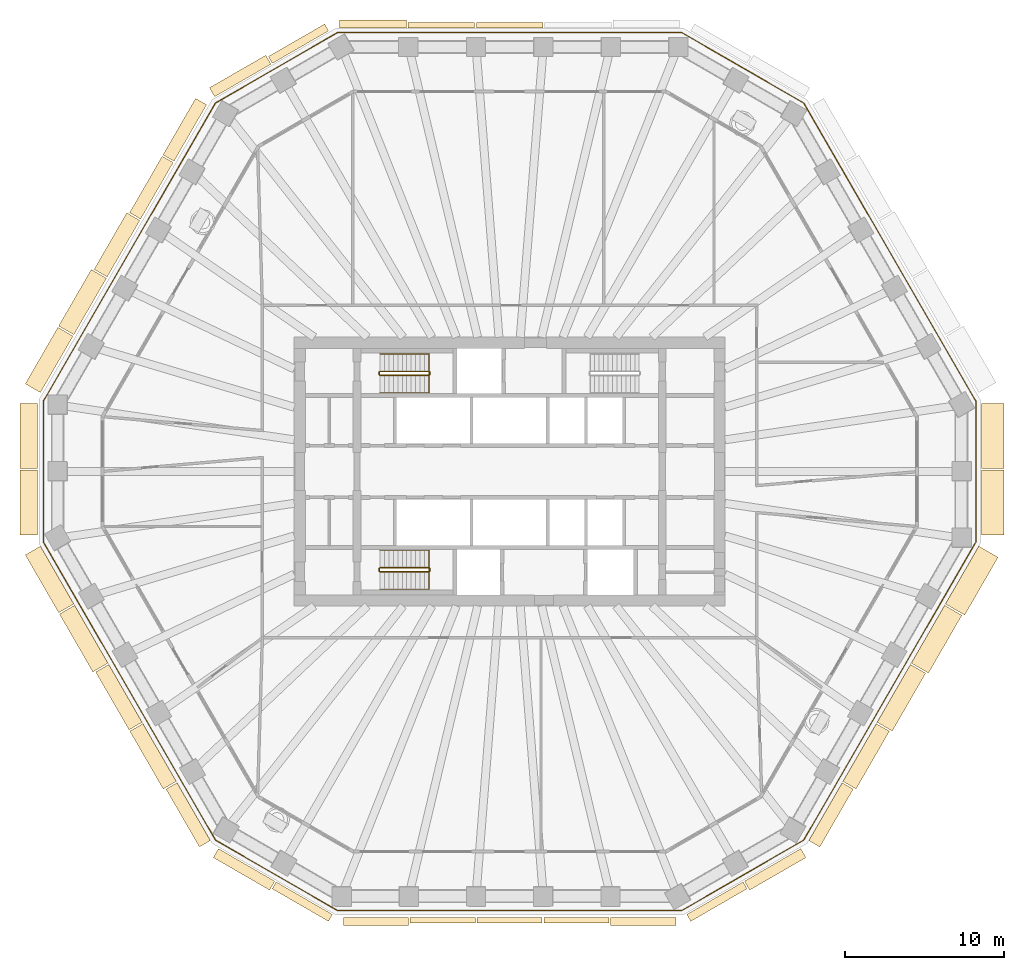
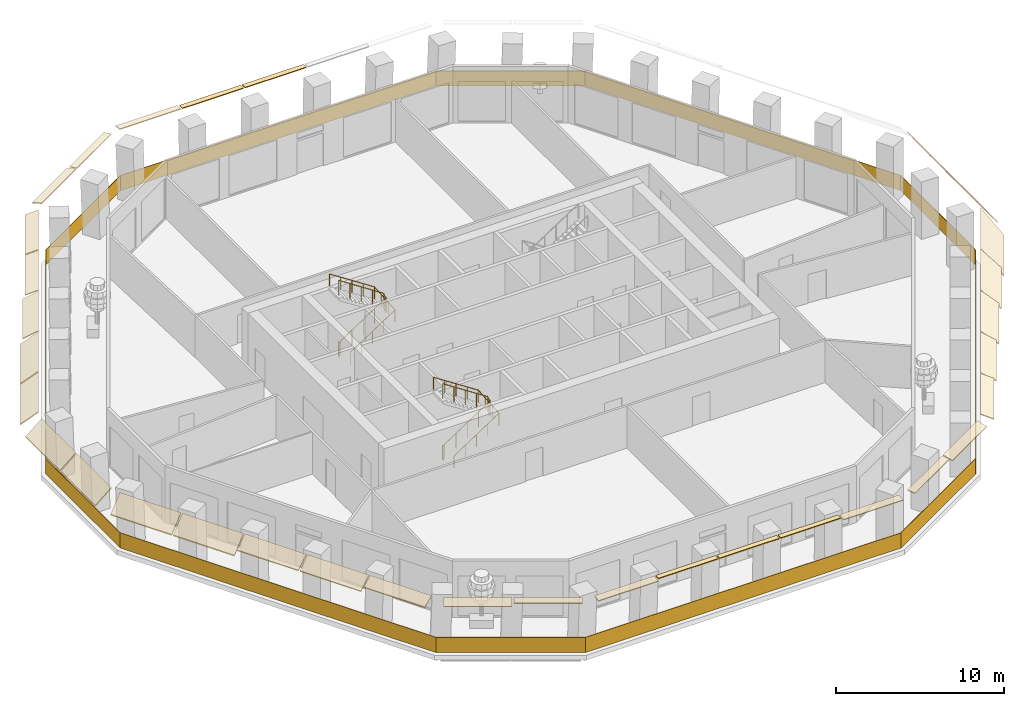
# One storey, part 9 of 12: 33 coverings, 5 railings.
"""IFC4 building model written with IfcOpenShell, lengths in metres."""

from ifc_helpers import new_model, si_unit, direction, frame, origin, origin_2d, place, context, subcontext, project, spatial, polyline, rectangle, circle, outline, extrude, material, layer, layer_set, type_object, element, save


model = new_model("IFC4")

# Units and contexts
model_context = context("Model", 3, precision=1e-05, world=origin(), true_north=direction((0.0, 1.0)))
body_context = subcontext(model_context, "Body", "Model", "MODEL_VIEW")
ifc_project = project(units=[si_unit("LENGTHUNIT", "METRE"), si_unit("AREAUNIT", "SQUARE_METRE"), si_unit("VOLUMEUNIT", "CUBIC_METRE"), si_unit("PLANEANGLEUNIT", "RADIAN"), si_unit("MASSUNIT", "GRAM", prefix="KILO")], contexts=[model_context])

# Site, building, storey
site_placement = place(None, origin())
site = spatial("IfcSite", under=ifc_project, at=site_placement, CompositionType="ELEMENT")
building_placement = place(site_placement, origin())
building = spatial("IfcBuilding", under=site, at=building_placement, Name="Frailejon Research Tower", CompositionType="ELEMENT")
storey_placement = place(building_placement, frame((0.0, 0.0, 145.199951171875)))
storey = spatial("IfcBuildingStorey", under=building, at=storey_placement, Name="L31", CompositionType="ELEMENT", Elevation=145.199951171875)

# Coverings
ifc_material_1 = material(Name="Precast concrete C50/60", Category="concrete")
ifc_layer_1 = layer(ifc_material_1, 0.06005859375)
ifc_layer_set_1 = layer_set([ifc_layer_1], Name="Brim blade depth 1100")
covering_type_1 = type_object("IfcCoveringType", Name="Brim blade depth 1100", PredefinedType="CLADDING", material=ifc_layer_set_1)
for number, where, z_axis, x_axis, name in (
    (1, (-27.40673828125, 8.6064453125, 4.25), (0.500000690179, 0.866025005309, 0.0), (-0.866025005309, 0.500000690179, 0.0), "Brim blade L31"),
    (2, (-29.5068359375, 4.968994140625, 4.25), (0.499990381106, 0.866030957184, 0.0), (-0.866030957184, 0.499990381106, 0.0), "Brim blade L31"),
):
    element("IfcCovering", number, at=place(storey_placement, frame(where, z_axis=z_axis, x_axis=x_axis)), inside=storey, type_object=covering_type_1, Name=name, PredefinedType="CLADDING", context=body_context, shape_type="SweptSolid", body=[
        extrude(outline(polyline([(0.0, -0.078369140625), (1.10009765625, -1.001220703125), (1.10009765625, -0.923095703125), (0.0, 0.0), (0.0, -0.078369140625)])), origin(), (0.0, 0.0, 1.0), 4.10009765625),
    ])
covering_1_placement = place(storey_placement, frame((-29.692626953125, 0.188232421875, 4.25), z_axis=(0.0, 1.0, 0.0), x_axis=(-1.0, 0.0, 0.0)))
element("IfcCovering", 3, at=covering_1_placement, inside=storey, type_object=covering_type_1, Name="Brim blade L31", PredefinedType="CLADDING", context=body_context, shape_type="SweptSolid", body=[
    extrude(outline(polyline([(0.0, -0.078369140625), (1.10009765625, -1.001220703125), (1.10009765625, -0.923095703125), (0.0, 0.0), (0.0, -0.078369140625)])), origin(), (0.0, 0.0, 1.0), 4.08740234375),
])
covering_2_placement = place(storey_placement, frame((-29.692626953125, -3.999267578125, 4.25), z_axis=(0.0, 1.0, 0.0), x_axis=(-1.0, 0.0, 0.0)))
element("IfcCovering", 4, at=covering_2_placement, inside=storey, type_object=covering_type_1, Name="Brim blade L31", PredefinedType="CLADDING", context=body_context, shape_type="SweptSolid", body=[
    extrude(outline(polyline([(0.0, -0.078369140625), (1.10009765625, -1.001220703125), (1.10009765625, -0.923095703125), (0.0, 0.0), (0.0, -0.078369140625)])), origin(), (0.0, 0.0, 1.0), 4.087646484375),
])
for number, where, z_axis, x_axis, name in (
    (5, (-27.408935546875, -8.326416015625, 4.25), (-0.499997171044, 0.866027037077, 0.0), (-0.866027037077, -0.499997171044, 0.0), "Brim blade L31"),
    (6, (-25.260986328125, -12.046630859375, 4.25), (-0.499997171044, 0.866027037077, 0.0), (-0.866027037077, -0.499997171044, 0.0), "Brim blade L31"),
    (7, (25.2109375, -12.13330078125, 4.25), (-0.50000725073, -0.866021217533, 0.0), (0.866021217533, -0.50000725073, 0.0), "Brim blade L31"),
):
    element("IfcCovering", number, at=place(storey_placement, frame(where, z_axis=z_axis, x_axis=x_axis)), inside=storey, type_object=covering_type_1, Name=name, PredefinedType="CLADDING", context=body_context, shape_type="SweptSolid", body=[
        extrude(outline(polyline([(0.0, -0.078369140625), (1.10009765625, -1.001220703125), (1.10009765625, -0.923095703125), (0.0, 0.0), (0.0, -0.078369140625)])), origin(), (0.0, 0.0, 1.0), 4.19580078125),
    ])
ifc_material_2 = material(Name="Precast concrete C50/60", Category="concrete")
ifc_layer_2 = layer(ifc_material_2, 0.06005859375)
ifc_layer_set_2 = layer_set([ifc_layer_2], Name="Brim blade depth 1250")
covering_type_2 = type_object("IfcCoveringType", Name="Brim blade depth 1250", PredefinedType="CLADDING", material=ifc_layer_set_2)
covering_3_placement = place(storey_placement, frame((27.35888671875, -8.412841796875, 4.25), z_axis=(-0.499997171044, -0.866027037077, 0.0), x_axis=(0.866027037077, -0.499997171044, 0.0)))
element("IfcCovering", 8, at=covering_3_placement, inside=storey, type_object=covering_type_2, Name="Brim blade L31", PredefinedType="CLADDING", context=body_context, shape_type="SweptSolid", body=[
    extrude(outline(polyline([(0.0, -0.0888671875), (1.25, -1.452880859375), (1.25, -1.364013671875), (0.0, 0.0), (0.0, -0.0888671875)])), origin(), (0.0, 0.0, 1.0), 4.19580078125),
])
ifc_material_3 = material(Name="Precast concrete C50/60", Category="concrete")
ifc_layer_3 = layer(ifc_material_3, 0.06005859375)
ifc_layer_set_3 = layer_set([ifc_layer_3], Name="Brim blade depth 1400")
covering_type_3 = type_object("IfcCoveringType", Name="Brim blade depth 1400", PredefinedType="CLADDING", material=ifc_layer_set_3)
covering_4_placement = place(storey_placement, frame((29.692626953125, 0.08837890625, 4.25), z_axis=(0.0, -1.0, 0.0), x_axis=(1.0, 0.0, 0.0)))
element("IfcCovering", 9, at=covering_4_placement, inside=storey, type_object=covering_type_3, Name="Brim blade L31", PredefinedType="CLADDING", context=body_context, shape_type="SweptSolid", body=[
    extrude(outline(polyline([(0.0, -0.1044921875), (1.39990234375, -2.10400390625), (1.39990234375, -1.99951171875), (0.0, 0.0), (0.0, -0.1044921875)])), origin(), (0.0, 0.0, 1.0), 4.087646484375),
])
covering_5_placement = place(storey_placement, frame((29.692626953125, 4.27587890625, 4.25), z_axis=(0.0, -1.0, 0.0), x_axis=(1.0, 0.0, 0.0)))
element("IfcCovering", 10, at=covering_5_placement, inside=storey, type_object=covering_type_3, Name="Brim blade L31", PredefinedType="CLADDING", context=body_context, shape_type="SweptSolid", body=[
    extrude(outline(polyline([(0.0, -0.1044921875), (1.39990234375, -2.10400390625), (1.39990234375, -1.99951171875), (0.0, 0.0), (0.0, -0.1044921875)])), origin(), (0.0, 0.0, 1.0), 4.08740234375),
])
covering_6_placement = place(storey_placement, frame((29.5068359375, -4.692626953125, 4.25), z_axis=(-0.499997171044, -0.866027037077, 0.0), x_axis=(0.866027037077, -0.499997171044, 0.0)))
element("IfcCovering", 11, at=covering_6_placement, inside=storey, type_object=covering_type_3, Name="Brim blade L31", PredefinedType="CLADDING", context=body_context, shape_type="SweptSolid", body=[
    extrude(outline(polyline([(0.0, -0.1044921875), (1.39990234375, -2.10400390625), (1.39990234375, -1.99951171875), (0.0, 0.0), (0.0, -0.1044921875)])), origin(), (0.0, 0.0, 1.0), 4.19580078125),
])
ifc_material_4 = material(Name="Precast concrete C50/60", Category="concrete")
ifc_layer_4 = layer(ifc_material_4, 0.06005859375)
ifc_layer_set_4 = layer_set([ifc_layer_4], Name="Brim blade depth 350")
covering_type_4 = type_object("IfcCoveringType", Name="Brim blade depth 350", PredefinedType="CLADDING", material=ifc_layer_set_4)
for number, where, z_axis, x_axis, name in (
    (12, (-2.097900390625, 27.89990234375, 4.25), (1.0, 0.0, 0.0), (0.0, 1.0, 0.0), "Brim blade L31"),
    (13, (-6.393798828125, 27.89990234375, 4.25), (1.0, 0.0, 0.0), (0.0, 1.0, 0.0), "Brim blade L31"),
):
    element("IfcCovering", number, at=place(storey_placement, frame(where, z_axis=z_axis, x_axis=x_axis)), inside=storey, type_object=covering_type_4, Name=name, PredefinedType="CLADDING", context=body_context, shape_type="SweptSolid", body=[
        extrude(outline(polyline([(0.0, -0.06005859375), (0.35009765625, -0.06005859375), (0.35009765625, 0.0), (0.0, 0.0), (0.0, -0.06005859375)])), origin(), (0.0, 0.0, 1.0), 4.19580078125),
    ])
for number, where, z_axis, x_axis, name in (
    (14, (-2.14990234375, -28.038330078125, 4.25), (-1.0, 0.0, 0.0), (0.0, -1.0, 0.0), "Brim blade L31"),
    (15, (2.050048828125, -28.038330078125, 4.25), (-1.0, 0.0, 0.0), (0.0, -1.0, 0.0), "Brim blade L31"),
    (16, (6.25, -28.038330078125, 4.25), (-1.0, 0.0, 0.0), (0.0, -1.0, 0.0), "Brim blade L31"),
):
    element("IfcCovering", number, at=place(storey_placement, frame(where, z_axis=z_axis, x_axis=x_axis)), inside=storey, type_object=covering_type_4, Name=name, PredefinedType="CLADDING", context=body_context, shape_type="SweptSolid", body=[
        extrude(outline(polyline([(0.0, -0.06005859375), (0.35009765625, -0.06005859375), (0.35009765625, 0.0), (0.0, 0.0), (0.0, -0.06005859375)])), origin(), (0.0, 0.0, 1.0), 4.10009765625),
    ])
ifc_material_5 = material(Name="Precast concrete C50/60", Category="concrete")
ifc_layer_5 = layer(ifc_material_5, 0.06005859375)
ifc_layer_set_5 = layer_set([ifc_layer_5], Name="Brim blade depth 500")
covering_type_5 = type_object("IfcCoveringType", Name="Brim blade depth 500", PredefinedType="CLADDING", material=ifc_layer_set_5)
covering_7_placement = place(storey_placement, frame((-10.689453125, 27.89990234375, 4.25), z_axis=(1.0, 0.0, 0.0), x_axis=(0.0, 1.0, 0.0)))
element("IfcCovering", 17, at=covering_7_placement, inside=storey, type_object=covering_type_5, Name="Brim blade L31", PredefinedType="CLADDING", context=body_context, shape_type="SweptSolid", body=[
    extrude(outline(polyline([(0.0, -0.060546875), (0.5, -0.130859375), (0.5, -0.0703125), (0.0, 0.0), (0.0, -0.060546875)])), origin(), (0.0, 0.0, 1.0), 4.19580078125),
])
for number, where, z_axis, x_axis, name in (
    (18, (-14.9228515625, 25.67041015625, 4.25), (0.866027315287, 0.499996689166, 0.0), (-0.499996689166, 0.866027315287, 0.0), "Brim blade L31"),
    (19, (-11.143310546875, -27.8525390625, 4.25), (-0.866027315287, 0.499996689166, 0.0), (-0.499996689166, -0.866027315287, 0.0), "Brim blade L31"),
):
    element("IfcCovering", number, at=place(storey_placement, frame(where, z_axis=z_axis, x_axis=x_axis)), inside=storey, type_object=covering_type_5, Name=name, PredefinedType="CLADDING", context=body_context, shape_type="SweptSolid", body=[
        extrude(outline(polyline([(0.0, -0.060546875), (0.5, -0.130859375), (0.5, -0.0703125), (0.0, 0.0), (0.0, -0.060546875)])), origin(), (0.0, 0.0, 1.0), 4.087646484375),
    ])
for number, where, z_axis, x_axis, name in (
    (20, (-6.35009765625, -28.038330078125, 4.25), (-1.0, 0.0, 0.0), (0.0, -1.0, 0.0), "Brim blade L31"),
    (21, (10.449951171875, -28.038330078125, 4.25), (-1.0, 0.0, 0.0), (0.0, -1.0, 0.0), "Brim blade L31"),
):
    element("IfcCovering", number, at=place(storey_placement, frame(where, z_axis=z_axis, x_axis=x_axis)), inside=storey, type_object=covering_type_5, Name=name, PredefinedType="CLADDING", context=body_context, shape_type="SweptSolid", body=[
        extrude(outline(polyline([(0.0, -0.060546875), (0.5, -0.130859375), (0.5, -0.0703125), (0.0, 0.0), (0.0, -0.060546875)])), origin(), (0.0, 0.0, 1.0), 4.10009765625),
    ])
covering_8_placement = place(storey_placement, frame((14.683349609375, -25.80859375, 4.25), z_axis=(-0.866027315287, -0.499996689166, 0.0), x_axis=(0.499996689166, -0.866027315287, 0.0)))
element("IfcCovering", 22, at=covering_8_placement, inside=storey, type_object=covering_type_5, Name="Brim blade L31", PredefinedType="CLADDING", context=body_context, shape_type="SweptSolid", body=[
    extrude(outline(polyline([(0.0, -0.060546875), (0.5, -0.130859375), (0.5, -0.0703125), (0.0, 0.0), (0.0, -0.060546875)])), origin(), (0.0, 0.0, 1.0), 4.087646484375),
])
ifc_material_6 = material(Name="Precast concrete C50/60", Category="concrete")
ifc_layer_6 = layer(ifc_material_6, 0.06005859375)
ifc_layer_set_6 = layer_set([ifc_layer_6], Name="Brim blade depth 650")
covering_type_6 = type_object("IfcCoveringType", Name="Brim blade depth 650", PredefinedType="CLADDING", material=ifc_layer_set_6)
for number, where, z_axis, x_axis, name in (
    (23, (-18.54931640625, 23.57666015625, 4.25), (0.866021344981, 0.500007029989, 0.0), (-0.500007029989, 0.866021344981, 0.0), "Brim blade L31"),
    (24, (-14.77001953125, -25.7587890625, 4.25), (-0.866021344981, 0.500007029989, 0.0), (-0.500007029989, -0.866021344981, 0.0), "Brim blade L31"),
    (25, (18.309814453125, -23.71484375, 4.25), (-0.866021344981, -0.500007029989, 0.0), (0.500007029989, -0.866021344981, 0.0), "Brim blade L31"),
):
    element("IfcCovering", number, at=place(storey_placement, frame(where, z_axis=z_axis, x_axis=x_axis)), inside=storey, type_object=covering_type_6, Name=name, PredefinedType="CLADDING", context=body_context, shape_type="SweptSolid", body=[
        extrude(outline(polyline([(0.0, -0.0625), (0.64990234375, -0.248779296875), (0.64990234375, -0.186279296875), (0.0, 0.0), (0.0, -0.0625)])), origin(), (0.0, 0.0, 1.0), 4.08740234375),
    ])
ifc_material_7 = material(Name="Precast concrete C50/60", Category="concrete")
ifc_layer_7 = layer(ifc_material_7, 0.06005859375)
ifc_layer_set_7 = layer_set([ifc_layer_7], Name="Brim blade depth 800")
covering_type_7 = type_object("IfcCoveringType", Name="Brim blade depth 800", PredefinedType="CLADDING", material=ifc_layer_set_7)
for number, where, z_axis, x_axis, name in (
    (26, (-21.106689453125, 19.518310546875, 4.25), (0.500000690179, 0.866025005309, 0.0), (-0.866025005309, 0.500000690179, 0.0), "Brim blade L31"),
    (27, (-23.206787109375, 15.881103515625, 4.25), (0.500000690179, 0.866025005309, 0.0), (-0.866025005309, 0.500000690179, 0.0), "Brim blade L31"),
):
    element("IfcCovering", number, at=place(storey_placement, frame(where, z_axis=z_axis, x_axis=x_axis)), inside=storey, type_object=covering_type_7, Name=name, PredefinedType="CLADDING", context=body_context, shape_type="SweptSolid", body=[
        extrude(outline(polyline([(0.0, -0.065673828125), (0.800048828125, -0.421875), (0.800048828125, -0.356201171875), (0.0, 0.0), (0.0, -0.065673828125)])), origin(), (0.0, 0.0, 1.0), 4.10009765625),
    ])
for number, where, z_axis, x_axis, name in (
    (28, (-18.8173828125, -23.20751953125, 4.25), (-0.499997171044, 0.866027037077, 0.0), (-0.866027037077, -0.499997171044, 0.0), "Brim blade L31"),
    (29, (20.915283203125, -19.57373046875, 4.25), (-0.499997171044, -0.866027037077, 0.0), (0.866027037077, -0.499997171044, 0.0), "Brim blade L31"),
):
    element("IfcCovering", number, at=place(storey_placement, frame(where, z_axis=z_axis, x_axis=x_axis)), inside=storey, type_object=covering_type_7, Name=name, PredefinedType="CLADDING", context=body_context, shape_type="SweptSolid", body=[
        extrude(outline(polyline([(0.0, -0.065673828125), (0.800048828125, -0.421875), (0.800048828125, -0.356201171875), (0.0, 0.0), (0.0, -0.065673828125)])), origin(), (0.0, 0.0, 1.0), 4.19580078125),
    ])
ifc_material_8 = material(Name="Precast concrete C50/60", Category="concrete")
ifc_layer_8 = layer(ifc_material_8, 0.06005859375)
ifc_layer_set_8 = layer_set([ifc_layer_8], Name="Brim blade depth 950")
covering_type_8 = type_object("IfcCoveringType", Name="Brim blade depth 950", PredefinedType="CLADDING", material=ifc_layer_set_8)
covering_9_placement = place(storey_placement, frame((-25.306884765625, 12.243896484375, 4.25), z_axis=(0.500000690179, 0.866025005309, 0.0), x_axis=(-0.866025005309, 0.500000690179, 0.0)))
element("IfcCovering", 30, at=covering_9_placement, inside=storey, type_object=covering_type_8, Name="Brim blade L31", PredefinedType="CLADDING", context=body_context, shape_type="SweptSolid", body=[
    extrude(outline(polyline([(0.0, -0.07080078125), (0.949951171875, -0.664306640625), (0.949951171875, -0.593505859375), (0.0, 0.0), (0.0, -0.07080078125)])), origin(), (0.0, 0.0, 1.0), 4.10009765625),
])
for number, where, z_axis, x_axis, name in (
    (31, (-23.113037109375, -15.766845703125, 4.25), (-0.50000725073, 0.866021217533, 0.0), (-0.866021217533, -0.50000725073, 0.0), "Brim blade L31"),
    (32, (-20.965087890625, -19.487060546875, 4.25), (-0.499997171044, 0.866027037077, 0.0), (-0.866027037077, -0.499997171044, 0.0), "Brim blade L31"),
    (33, (23.06298828125, -15.853515625, 4.25), (-0.499997171044, -0.866027037077, 0.0), (0.866027037077, -0.499997171044, 0.0), "Brim blade L31"),
):
    element("IfcCovering", number, at=place(storey_placement, frame(where, z_axis=z_axis, x_axis=x_axis)), inside=storey, type_object=covering_type_8, Name=name, PredefinedType="CLADDING", context=body_context, shape_type="SweptSolid", body=[
        extrude(outline(polyline([(0.0, -0.07080078125), (0.949951171875, -0.664306640625), (0.949951171875, -0.593505859375), (0.0, 0.0), (0.0, -0.07080078125)])), origin(), (0.0, 0.0, 1.0), 4.19580078125),
    ])

# Railings
ifc_material_9 = material(Name="Laminated glass balustrade", Category="glass")
railing_type_1 = type_object("IfcRailingType", Name="Glass guard 1100", PredefinedType="GUARDRAIL", material=ifc_material_9)
railing_1_placement = place(storey_placement, frame((29.321533203125, -4.430908203125, 0.0)))
element("IfcRailing", 34, at=railing_1_placement, inside=storey, type_object=railing_type_1, Name="Loggia guard L31", PredefinedType="GUARDRAIL", context=body_context, shape_type="SweptSolid", body=[
    extrude(rectangle(XDim=8.86181640625, YDim=0.030029296875, at=origin_2d()), frame((0.0, 4.430908203125, 0.0), z_axis=(0.0, 0.0, 1.0), x_axis=(0.0, 1.0, 0.0)), (0.0, 0.0, 1.0), 1.10009765625),
    extrude(rectangle(XDim=21.646728515625, YDim=0.030029296875, at=origin_2d()), frame((-5.41162109375, 18.235107421875, 0.0), z_axis=(0.0, 0.0, 1.0), x_axis=(-0.500004924955, 0.866022560341, 0.0)), (0.0, 0.0, 1.0), 1.10009765625),
    extrude(rectangle(XDim=8.862060546875, YDim=0.030029296875, at=origin_2d()), frame((-14.660888671875, 29.823974609375, 0.0), z_axis=(0.0, 0.0, 1.0), x_axis=(-0.86602043012, 0.50000861454, 0.0)), (0.0, 0.0, 1.0), 1.10009765625),
    extrude(rectangle(XDim=21.646484375, YDim=0.030029296875, at=origin_2d()), frame((-29.321533203125, 32.03955078125, 0.0), z_axis=(0.0, 0.0, 1.0), x_axis=(-1.0, 0.0, 0.0)), (0.0, 0.0, 1.0), 1.10009765625),
    extrude(rectangle(XDim=8.862060546875, YDim=0.030029296875, at=origin_2d()), frame((-43.982177734375, 29.823974609375, 0.0), z_axis=(0.0, 0.0, 1.0), x_axis=(-0.86602043012, -0.50000861454, 0.0)), (0.0, 0.0, 1.0), 1.10009765625),
    extrude(rectangle(XDim=21.646728515625, YDim=0.030029296875, at=origin_2d()), frame((-53.2314453125, 18.235107421875, 0.0), z_axis=(0.0, 0.0, 1.0), x_axis=(-0.500004924955, -0.866022560341, 0.0)), (0.0, 0.0, 1.0), 1.10009765625),
    extrude(rectangle(XDim=8.86181640625, YDim=0.030029296875, at=origin_2d()), frame((-58.64306640625, 4.430908203125, 0.0), z_axis=(0.0, 0.0, 1.0), x_axis=(0.0, -1.0, 0.0)), (0.0, 0.0, 1.0), 1.10009765625),
    extrude(rectangle(XDim=21.646728515625, YDim=0.030029296875, at=origin_2d()), frame((-53.2314453125, -9.373291015625, 0.0), z_axis=(0.0, 0.0, 1.0), x_axis=(0.500004924955, -0.866022560341, 0.0)), (0.0, 0.0, 1.0), 1.10009765625),
    extrude(rectangle(XDim=8.862060546875, YDim=0.030029296875, at=origin_2d()), frame((-43.982177734375, -20.962158203125, 0.0), z_axis=(0.0, 0.0, 1.0), x_axis=(0.86602043012, -0.50000861454, 0.0)), (0.0, 0.0, 1.0), 1.10009765625),
    extrude(rectangle(XDim=21.646484375, YDim=0.030029296875, at=origin_2d()), frame((-29.321533203125, -23.177734375, 0.0), z_axis=(0.0, 0.0, 1.0), x_axis=(1.0, 0.0, 0.0)), (0.0, 0.0, 1.0), 1.10009765625),
    extrude(rectangle(XDim=8.862060546875, YDim=0.030029296875, at=origin_2d()), frame((-14.660888671875, -20.962158203125, 0.0), z_axis=(0.0, 0.0, 1.0), x_axis=(0.86602043012, 0.50000861454, 0.0)), (0.0, 0.0, 1.0), 1.10009765625),
    extrude(rectangle(XDim=21.57666015625, YDim=0.030029296875, at=origin_2d()), frame((-5.42919921875, -9.40380859375, 0.0), z_axis=(0.0, 0.0, 1.0), x_axis=(0.500011392333, 0.866018826318, 0.0)), (0.0, 0.0, 1.0), 1.10009765625),
])
ifc_material_10 = material(Name="Stainless steel", Category="steel")
railing_type_2 = type_object("IfcRailingType", Name="Stair guard 1100", PredefinedType="GUARDRAIL", material=ifc_material_10)
railing_2_placement = place(storey_placement, frame((-8.199951171875, 6.25, 0.0)))
element("IfcRailing", 35, at=railing_2_placement, inside=storey, type_object=railing_type_2, Name="L31 ST1 stair guard 1", PredefinedType="GUARDRAIL", context=body_context, shape_type="SweptSolid", body=[
    extrude(circle(Radius=0.02392578125, at=origin_2d()), frame((0.0, 0.0, 1.076171875), z_axis=(0.0, -1.0, 0.0), x_axis=(1.0, 0.0, 0.0)), (0.0, 0.0, 1.0), 0.14990234375),
    extrude(circle(Radius=0.02392578125, at=origin_2d()), frame((0.0, -0.14990234375, 1.076171875), z_axis=(0.254653276557, -0.254653276557, 0.932900539971), x_axis=(0.707106781187, 0.707106781187, 0.0)), (0.0, 0.0, 1.0), 0.196533203125),
    extrude(circle(Radius=0.02392578125, at=origin_2d()), frame((0.050048828125, -0.199951171875, 1.25927734375), z_axis=(0.836613101238, 0.0, 0.547794230379), x_axis=(0.0, 1.0, 0.0)), (0.0, 0.0, 1.0), 3.681396484375),
    extrude(circle(Radius=0.02392578125, at=origin_2d()), frame((3.1298828125, -0.199951171875, 3.27587890625), z_axis=(0.707106781187, 0.707106781187, 0.0), x_axis=(-0.707106781187, 0.707106781187, 0.0)), (0.0, 0.0, 1.0), 0.07080078125),
    extrude(circle(Radius=0.02392578125, at=origin_2d()), frame((3.179931640625, -0.14990234375, 3.27587890625), z_axis=(0.0, 1.0, 0.0), x_axis=(-1.0, 0.0, 0.0)), (0.0, 0.0, 1.0), 0.14990234375),
    extrude(circle(Radius=0.02392578125, at=origin_2d()), frame((3.179931640625, 0.0, 3.27587890625), z_axis=(-0.254653276557, 0.254653276557, 0.932900539971), x_axis=(-0.707106781187, -0.707106781187, 0.0)), (0.0, 0.0, 1.0), 0.196533203125),
    extrude(circle(Radius=0.02392578125, at=origin_2d()), frame((3.1298828125, 0.050048828125, 3.45947265625), z_axis=(-0.836582707638, 0.0, 0.547840645882), x_axis=(0.0, -1.0, 0.0)), (0.0, 0.0, 1.0), 3.681396484375),
    extrude(circle(Radius=0.02099609375, at=origin_2d()), origin(), (0.0, 0.0, 1.0), 1.052001953125),
    extrude(circle(Radius=0.02099609375, at=origin_2d()), frame((0.0, -0.14990234375, 0.0)), (0.0, 0.0, 1.0), 1.052001953125),
    extrude(circle(Radius=0.02099609375, at=origin_2d()), frame((0.050048828125, -0.199951171875, 0.183349609375)), (0.0, 0.0, 1.0), 1.052001953125),
    extrude(circle(Radius=0.02099609375, at=origin_2d()), frame((0.820068359375, -0.199951171875, 0.6875)), (0.0, 0.0, 1.0), 1.052001953125),
    extrude(circle(Radius=0.02099609375, at=origin_2d()), frame((1.58984375, -0.199951171875, 1.191650390625)), (0.0, 0.0, 1.0), 1.052001953125),
    extrude(circle(Radius=0.02099609375, at=origin_2d()), frame((2.35986328125, -0.199951171875, 1.69580078125)), (0.0, 0.0, 1.0), 1.052001953125),
    extrude(circle(Radius=0.02099609375, at=origin_2d()), frame((3.1298828125, -0.199951171875, 2.199951171875)), (0.0, 0.0, 1.0), 1.052001953125),
    extrude(circle(Radius=0.02099609375, at=origin_2d()), frame((3.179931640625, -0.14990234375, 2.199951171875)), (0.0, 0.0, 1.0), 1.052001953125),
    extrude(circle(Radius=0.02099609375, at=origin_2d()), frame((3.179931640625, 0.0, 2.199951171875)), (0.0, 0.0, 1.0), 1.052001953125),
    extrude(circle(Radius=0.02099609375, at=origin_2d()), frame((3.1298828125, 0.050048828125, 2.38330078125)), (0.0, 0.0, 1.0), 1.052001953125),
    extrude(circle(Radius=0.02099609375, at=origin_2d()), frame((2.35986328125, 0.050048828125, 2.887451171875)), (0.0, 0.0, 1.0), 1.052001953125),
    extrude(circle(Radius=0.02099609375, at=origin_2d()), frame((1.58984375, 0.050048828125, 3.3916015625)), (0.0, 0.0, 1.0), 1.052001953125),
    extrude(circle(Radius=0.02099609375, at=origin_2d()), frame((0.820068359375, 0.050048828125, 3.89599609375)), (0.0, 0.0, 1.0), 1.052001953125),
    extrude(circle(Radius=0.02099609375, at=origin_2d()), frame((0.050048828125, 0.050048828125, 4.400146484375)), (0.0, 0.0, 1.0), 1.052001953125),
])
railing_3_placement = place(storey_placement, frame((-8.199951171875, -6.10009765625, 0.0)))
element("IfcRailing", 36, at=railing_3_placement, inside=storey, type_object=railing_type_2, Name="L31 ST2 stair guard 1", PredefinedType="GUARDRAIL", context=body_context, shape_type="SweptSolid", body=[
    extrude(circle(Radius=0.02392578125, at=origin_2d()), frame((0.0, 0.0, 1.076171875), z_axis=(0.0, -1.0, 0.0), x_axis=(1.0, 0.0, 0.0)), (0.0, 0.0, 1.0), 0.14990234375),
    extrude(circle(Radius=0.02392578125, at=origin_2d()), frame((0.0, -0.14990234375, 1.076171875), z_axis=(0.254653276557, -0.254653276557, 0.932900539971), x_axis=(0.707106781187, 0.707106781187, 0.0)), (0.0, 0.0, 1.0), 0.196533203125),
    extrude(circle(Radius=0.02392578125, at=origin_2d()), frame((0.050048828125, -0.199951171875, 1.25927734375), z_axis=(0.836613101238, 0.0, 0.547794230379), x_axis=(0.0, 1.0, 0.0)), (0.0, 0.0, 1.0), 3.681396484375),
    extrude(circle(Radius=0.02392578125, at=origin_2d()), frame((3.1298828125, -0.199951171875, 3.27587890625), z_axis=(0.707106781187, 0.707106781187, 0.0), x_axis=(-0.707106781187, 0.707106781187, 0.0)), (0.0, 0.0, 1.0), 0.07080078125),
    extrude(circle(Radius=0.02392578125, at=origin_2d()), frame((3.179931640625, -0.14990234375, 3.27587890625), z_axis=(0.0, 1.0, 0.0), x_axis=(-1.0, 0.0, 0.0)), (0.0, 0.0, 1.0), 0.14990234375),
    extrude(circle(Radius=0.02392578125, at=origin_2d()), frame((3.179931640625, 0.0, 3.27587890625), z_axis=(-0.254653276557, 0.254653276557, 0.932900539971), x_axis=(-0.707106781187, -0.707106781187, 0.0)), (0.0, 0.0, 1.0), 0.196533203125),
    extrude(circle(Radius=0.02392578125, at=origin_2d()), frame((3.1298828125, 0.050048828125, 3.45947265625), z_axis=(-0.836582707638, 0.0, 0.547840645882), x_axis=(0.0, -1.0, 0.0)), (0.0, 0.0, 1.0), 3.681396484375),
    extrude(circle(Radius=0.02099609375, at=origin_2d()), origin(), (0.0, 0.0, 1.0), 1.052001953125),
    extrude(circle(Radius=0.02099609375, at=origin_2d()), frame((0.0, -0.14990234375, 0.0)), (0.0, 0.0, 1.0), 1.052001953125),
    extrude(circle(Radius=0.02099609375, at=origin_2d()), frame((0.050048828125, -0.199951171875, 0.183349609375)), (0.0, 0.0, 1.0), 1.052001953125),
    extrude(circle(Radius=0.02099609375, at=origin_2d()), frame((0.820068359375, -0.199951171875, 0.6875)), (0.0, 0.0, 1.0), 1.052001953125),
    extrude(circle(Radius=0.02099609375, at=origin_2d()), frame((1.58984375, -0.199951171875, 1.191650390625)), (0.0, 0.0, 1.0), 1.052001953125),
    extrude(circle(Radius=0.02099609375, at=origin_2d()), frame((2.35986328125, -0.199951171875, 1.69580078125)), (0.0, 0.0, 1.0), 1.052001953125),
    extrude(circle(Radius=0.02099609375, at=origin_2d()), frame((3.1298828125, -0.199951171875, 2.199951171875)), (0.0, 0.0, 1.0), 1.052001953125),
    extrude(circle(Radius=0.02099609375, at=origin_2d()), frame((3.179931640625, -0.14990234375, 2.199951171875)), (0.0, 0.0, 1.0), 1.052001953125),
    extrude(circle(Radius=0.02099609375, at=origin_2d()), frame((3.179931640625, 0.0, 2.199951171875)), (0.0, 0.0, 1.0), 1.052001953125),
    extrude(circle(Radius=0.02099609375, at=origin_2d()), frame((3.1298828125, 0.050048828125, 2.38330078125)), (0.0, 0.0, 1.0), 1.052001953125),
    extrude(circle(Radius=0.02099609375, at=origin_2d()), frame((2.35986328125, 0.050048828125, 2.887451171875)), (0.0, 0.0, 1.0), 1.052001953125),
    extrude(circle(Radius=0.02099609375, at=origin_2d()), frame((1.58984375, 0.050048828125, 3.3916015625)), (0.0, 0.0, 1.0), 1.052001953125),
    extrude(circle(Radius=0.02099609375, at=origin_2d()), frame((0.820068359375, 0.050048828125, 3.89599609375)), (0.0, 0.0, 1.0), 1.052001953125),
    extrude(circle(Radius=0.02099609375, at=origin_2d()), frame((0.050048828125, 0.050048828125, 4.400146484375)), (0.0, 0.0, 1.0), 1.052001953125),
])
ifc_material_11 = material(Name="Stainless steel", Category="steel")
railing_type_3 = type_object("IfcRailingType", Name="Stair handrail 900", PredefinedType="HANDRAIL", material=ifc_material_11)
railing_4_placement = place(storey_placement, frame((-8.14990234375, 4.949951171875, 0.183349609375)))
element("IfcRailing", 37, at=railing_4_placement, inside=storey, type_object=railing_type_3, Name="L31 ST1 stair handrail 1", PredefinedType="HANDRAIL", context=body_context, shape_type="SweptSolid", body=[
    extrude(circle(Radius=0.02392578125, at=origin_2d()), frame((0.0, 0.0, 0.8759765625), z_axis=(0.836613101238, 0.0, 0.547794230379), x_axis=(0.0, 1.0, 0.0)), (0.0, 0.0, 1.0), 3.681396484375),
    extrude(circle(Radius=0.02392578125, at=origin_2d()), frame((3.079833984375, 0.0, 2.892578125), z_axis=(0.0, 0.99721134034, 0.074629368868), x_axis=(-1.0, 0.0, 0.0)), (0.0, 0.0, 1.0), 2.456787109375),
    extrude(circle(Radius=0.02392578125, at=origin_2d()), frame((3.079833984375, 2.449951171875, 3.07568359375), z_axis=(-0.836582707638, 0.0, 0.547840645882), x_axis=(0.0, -1.0, 0.0)), (0.0, 0.0, 1.0), 3.681396484375),
    extrude(circle(Radius=0.02099609375, at=origin_2d()), origin(), (0.0, 0.0, 1.0), 0.851806640625),
    extrude(circle(Radius=0.02099609375, at=origin_2d()), frame((0.77001953125, 0.0, 0.504150390625)), (0.0, 0.0, 1.0), 0.851806640625),
    extrude(circle(Radius=0.02099609375, at=origin_2d()), frame((1.5400390625, 0.0, 1.00830078125)), (0.0, 0.0, 1.0), 0.851806640625),
    extrude(circle(Radius=0.02099609375, at=origin_2d()), frame((2.309814453125, 0.0, 1.512451171875)), (0.0, 0.0, 1.0), 0.851806640625),
    extrude(circle(Radius=0.02099609375, at=origin_2d()), frame((3.079833984375, 0.0, 2.0166015625)), (0.0, 0.0, 1.0), 0.851806640625),
    extrude(circle(Radius=0.02099609375, at=origin_2d()), frame((3.079833984375, 0.816650390625, 2.07763671875)), (0.0, 0.0, 1.0), 0.851806640625),
    extrude(circle(Radius=0.02099609375, at=origin_2d()), frame((3.079833984375, 1.63330078125, 2.138916015625)), (0.0, 0.0, 1.0), 0.851806640625),
    extrude(circle(Radius=0.02099609375, at=origin_2d()), frame((3.079833984375, 2.449951171875, 2.199951171875)), (0.0, 0.0, 1.0), 0.851806640625),
    extrude(circle(Radius=0.02099609375, at=origin_2d()), frame((2.309814453125, 2.449951171875, 2.7041015625)), (0.0, 0.0, 1.0), 0.851806640625),
    extrude(circle(Radius=0.02099609375, at=origin_2d()), frame((1.5400390625, 2.449951171875, 3.20849609375)), (0.0, 0.0, 1.0), 0.851806640625),
    extrude(circle(Radius=0.02099609375, at=origin_2d()), frame((0.77001953125, 2.449951171875, 3.712646484375)), (0.0, 0.0, 1.0), 0.851806640625),
    extrude(circle(Radius=0.02099609375, at=origin_2d()), frame((0.0, 2.449951171875, 4.216796875)), (0.0, 0.0, 1.0), 0.851806640625),
])
railing_5_placement = place(storey_placement, frame((-8.14990234375, -7.39990234375, 0.183349609375)))
element("IfcRailing", 38, at=railing_5_placement, inside=storey, type_object=railing_type_3, Name="L31 ST2 stair handrail 1", PredefinedType="HANDRAIL", context=body_context, shape_type="SweptSolid", body=[
    extrude(circle(Radius=0.02392578125, at=origin_2d()), frame((0.0, 0.0, 0.8759765625), z_axis=(0.836613101238, 0.0, 0.547794230379), x_axis=(0.0, 1.0, 0.0)), (0.0, 0.0, 1.0), 3.681396484375),
    extrude(circle(Radius=0.02392578125, at=origin_2d()), frame((3.079833984375, 0.0, 2.892578125), z_axis=(0.0, 0.99721134034, 0.074629368868), x_axis=(-1.0, 0.0, 0.0)), (0.0, 0.0, 1.0), 2.456787109375),
    extrude(circle(Radius=0.02392578125, at=origin_2d()), frame((3.079833984375, 2.449951171875, 3.07568359375), z_axis=(-0.836582707638, 0.0, 0.547840645882), x_axis=(0.0, -1.0, 0.0)), (0.0, 0.0, 1.0), 3.681396484375),
    extrude(circle(Radius=0.02099609375, at=origin_2d()), origin(), (0.0, 0.0, 1.0), 0.851806640625),
    extrude(circle(Radius=0.02099609375, at=origin_2d()), frame((0.77001953125, 0.0, 0.504150390625)), (0.0, 0.0, 1.0), 0.851806640625),
    extrude(circle(Radius=0.02099609375, at=origin_2d()), frame((1.5400390625, 0.0, 1.00830078125)), (0.0, 0.0, 1.0), 0.851806640625),
    extrude(circle(Radius=0.02099609375, at=origin_2d()), frame((2.309814453125, 0.0, 1.512451171875)), (0.0, 0.0, 1.0), 0.851806640625),
    extrude(circle(Radius=0.02099609375, at=origin_2d()), frame((3.079833984375, 0.0, 2.0166015625)), (0.0, 0.0, 1.0), 0.851806640625),
    extrude(circle(Radius=0.02099609375, at=origin_2d()), frame((3.079833984375, 0.816650390625, 2.07763671875)), (0.0, 0.0, 1.0), 0.851806640625),
    extrude(circle(Radius=0.02099609375, at=origin_2d()), frame((3.079833984375, 1.63330078125, 2.138916015625)), (0.0, 0.0, 1.0), 0.851806640625),
    extrude(circle(Radius=0.02099609375, at=origin_2d()), frame((3.079833984375, 2.449951171875, 2.199951171875)), (0.0, 0.0, 1.0), 0.851806640625),
    extrude(circle(Radius=0.02099609375, at=origin_2d()), frame((2.309814453125, 2.449951171875, 2.7041015625)), (0.0, 0.0, 1.0), 0.851806640625),
    extrude(circle(Radius=0.02099609375, at=origin_2d()), frame((1.5400390625, 2.449951171875, 3.20849609375)), (0.0, 0.0, 1.0), 0.851806640625),
    extrude(circle(Radius=0.02099609375, at=origin_2d()), frame((0.77001953125, 2.449951171875, 3.712646484375)), (0.0, 0.0, 1.0), 0.851806640625),
    extrude(circle(Radius=0.02099609375, at=origin_2d()), frame((0.0, 2.449951171875, 4.216796875)), (0.0, 0.0, 1.0), 0.851806640625),
])

save(model, "model.ifc")
